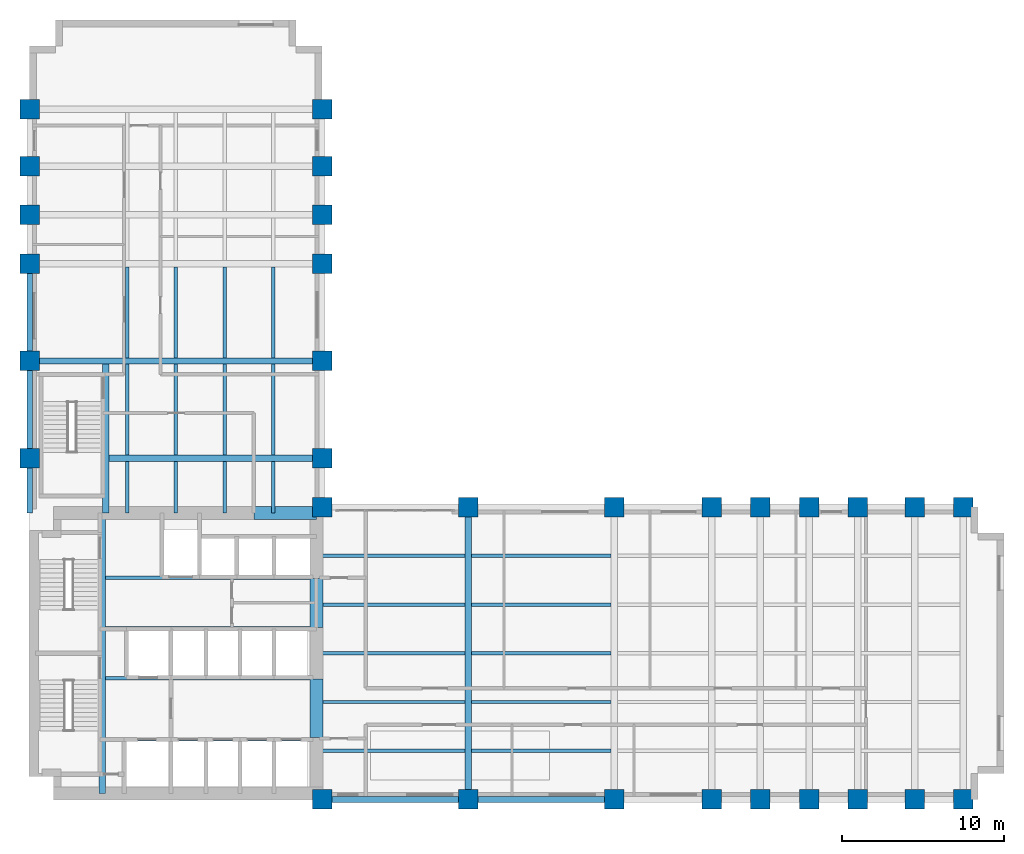
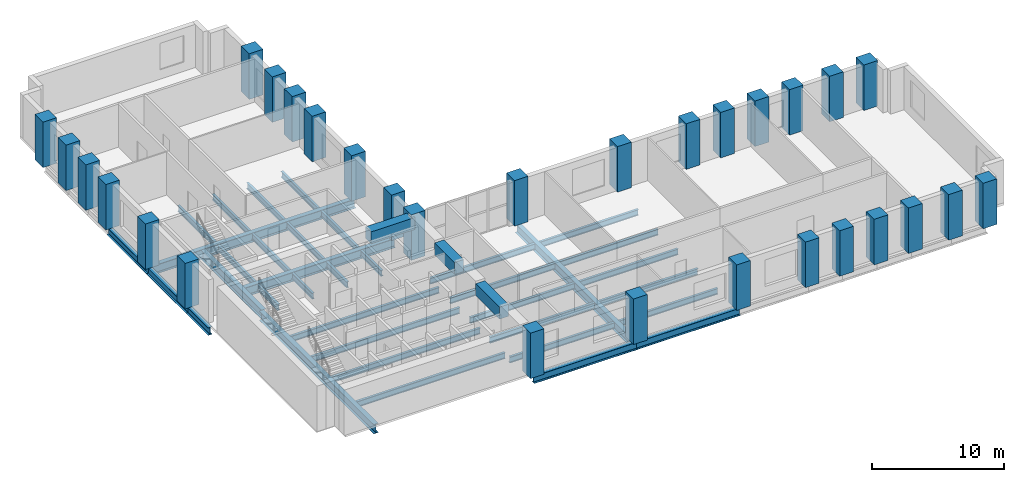
# One storey, part 1 of 8: 39 beams, 30 columns.
"""IFC4 building model written with IfcOpenShell, lengths in metres."""

from ifc_helpers import new_model, si_unit, direction, frame, origin, origin_2d, place, context, subcontext, project, spatial, rectangle, i_section, extrude, material, material_profile, profile_set, type_object, element, save


model = new_model("IFC4")

# Units and contexts
model_context = context("Model", 3, precision=1e-05, world=origin(), true_north=direction((0.0, 1.0)))
body_context = subcontext(model_context, "Body", "Model", "MODEL_VIEW")
ifc_project = project(units=[si_unit("LENGTHUNIT", "METRE"), si_unit("AREAUNIT", "SQUARE_METRE"), si_unit("VOLUMEUNIT", "CUBIC_METRE"), si_unit("PLANEANGLEUNIT", "RADIAN"), si_unit("MASSUNIT", "GRAM", prefix="KILO")], contexts=[model_context])

# Site, building, storey
site_placement = place(None, origin())
site = spatial("IfcSite", under=ifc_project, at=site_placement, CompositionType="ELEMENT")
building_placement = place(site_placement, origin())
building = spatial("IfcBuilding", under=site, at=building_placement, Name="Mawjdan Bourse Tower", CompositionType="ELEMENT")
storey_placement = place(building_placement, frame((0.0, 0.0, 76.199951171875)))
storey = spatial("IfcBuildingStorey", under=building, at=storey_placement, Name="L17", CompositionType="ELEMENT", Elevation=76.199951171875)

# Columns
ifc_material_1 = material(Name="Concrete C80/95", Category="concrete")
ifc_material_profile_1 = material_profile(ifc_material_1, rectangle(XDim=1.199951171875, YDim=1.199951171875, at=origin_2d()), Name="RC1200X1200")
ifc_profile_set_1 = profile_set([ifc_material_profile_1], Name="Concrete C80/95")
column_type = type_object("IfcColumnType", Name="COL-RC1200X1200", PredefinedType="COLUMN", material=ifc_profile_set_1)
for number, where, z_axis, x_axis, name in (
    (1, (24.0, 3.0, 0.0), (0.0, 0.0, 1.0), (1.0, 0.0, 0.0), "L17 Structural Column C-X240-Y30"),
    (2, (24.0, 21.0, 0.0), (0.0, 0.0, 1.0), (1.0, 0.0, 0.0), "L17 Structural Column C-X240-Y210"),
    (3, (33.0, 3.0, 0.0), (0.0, 0.0, 1.0), (1.0, 0.0, 0.0), "L17 Structural Column C-X330-Y30"),
    (4, (33.0, 21.0, 0.0), (0.0, 0.0, 1.0), (1.0, 0.0, 0.0), "L17 Structural Column C-X330-Y210"),
    (5, (42.0, 3.0, 0.0), (0.0, 0.0, 1.0), (1.0, 0.0, 0.0), "L17 Structural Column C-X420-Y30"),
    (6, (42.0, 21.0, 0.0), (0.0, 0.0, 1.0), (1.0, 0.0, 0.0), "L17 Structural Column C-X420-Y210"),
    (7, (48.0, 3.0, 0.0), (0.0, 0.0, 1.0), (1.0, 0.0, 0.0), "L17 Structural Column C-X480-Y30"),
    (8, (48.0, 21.0, 0.0), (0.0, 0.0, 1.0), (1.0, 0.0, 0.0), "L17 Structural Column C-X480-Y210"),
    (9, (51.0, 3.0, 0.0), (0.0, 0.0, 1.0), (1.0, 0.0, 0.0), "L17 Structural Column C-X510-Y30"),
    (10, (51.0, 21.0, 0.0), (0.0, 0.0, 1.0), (1.0, 0.0, 0.0), "L17 Structural Column C-X510-Y210"),
    (11, (54.0, 3.0, 0.0), (0.0, 0.0, 1.0), (1.0, 0.0, 0.0), "L17 Structural Column C-X540-Y30"),
    (12, (54.0, 21.0, 0.0), (0.0, 0.0, 1.0), (1.0, 0.0, 0.0), "L17 Structural Column C-X540-Y210"),
    (13, (57.0, 3.0, 0.0), (0.0, 0.0, 1.0), (1.0, 0.0, 0.0), "L17 Structural Column C-X570-Y30"),
    (14, (57.0, 21.0, 0.0), (0.0, 0.0, 1.0), (1.0, 0.0, 0.0), "L17 Structural Column C-X570-Y210"),
    (15, (60.5, 3.0, 0.0), (0.0, 0.0, 1.0), (1.0, 0.0, 0.0), "L17 Structural Column C-X605-Y30"),
    (16, (60.5, 21.0, 0.0), (0.0, 0.0, 1.0), (1.0, 0.0, 0.0), "L17 Structural Column C-X605-Y210"),
    (17, (63.5, 3.0, 0.0), (0.0, 0.0, 1.0), (1.0, 0.0, 0.0), "L17 Structural Column C-X635-Y30"),
    (18, (63.5, 21.0, 0.0), (0.0, 0.0, 1.0), (1.0, 0.0, 0.0), "L17 Structural Column C-X635-Y210"),
    (19, (6.0, 24.0, 0.0), (0.0, 0.0, 1.0), (1.0, 0.0, 0.0), "L17 Structural Column C-X60-Y240"),
    (20, (24.0, 24.0, 0.0), (0.0, 0.0, 1.0), (1.0, 0.0, 0.0), "L17 Structural Column C-X240-Y240"),
    (21, (6.0, 30.0, 0.0), (0.0, 0.0, 1.0), (1.0, 0.0, 0.0), "L17 Structural Column C-X60-Y300"),
    (22, (24.0, 30.0, 0.0), (0.0, 0.0, 1.0), (1.0, 0.0, 0.0), "L17 Structural Column C-X240-Y300"),
    (23, (6.0, 36.0, 0.0), (0.0, 0.0, 1.0), (1.0, 0.0, 0.0), "L17 Structural Column C-X60-Y360"),
    (24, (24.0, 36.0, 0.0), (0.0, 0.0, 1.0), (1.0, 0.0, 0.0), "L17 Structural Column C-X240-Y360"),
    (25, (6.0, 39.0, 0.0), (0.0, 0.0, 1.0), (1.0, 0.0, 0.0), "L17 Structural Column C-X60-Y390"),
    (26, (24.0, 39.0, 0.0), (0.0, 0.0, 1.0), (1.0, 0.0, 0.0), "L17 Structural Column C-X240-Y390"),
    (27, (6.0, 42.0, 0.0), (0.0, 0.0, 1.0), (1.0, 0.0, 0.0), "L17 Structural Column C-X60-Y420"),
    (28, (24.0, 42.0, 0.0), (0.0, 0.0, 1.0), (1.0, 0.0, 0.0), "L17 Structural Column C-X240-Y420"),
    (29, (6.0, 45.5, 0.0), (0.0, 0.0, 1.0), (1.0, 0.0, 0.0), "L17 Structural Column C-X60-Y455"),
    (30, (24.0, 45.5, 0.0), (0.0, 0.0, 1.0), (1.0, 0.0, 0.0), "L17 Structural Column C-X240-Y455"),
):
    element("IfcColumn", number, at=place(storey_placement, frame(where, z_axis=z_axis, x_axis=x_axis)), inside=storey, type_object=column_type, Name=name, PredefinedType="COLUMN", context=body_context, shape_type="SweptSolid", body=[
        extrude(rectangle(XDim=1.199951171875, YDim=1.199951171875, at=origin_2d()), origin(), (0.0, 0.0, 1.0), 4.199951171875),
    ])

# Beams
ifc_material_2 = material(Name="Structural Steel S355", Category="steel")
ifc_material_profile_2 = material_profile(ifc_material_2, i_section(OverallWidth=0.39892578125, OverallDepth=0.85595703125, WebThickness=0.018310546875, FlangeThickness=0.029296875, FilletRadius=0.0234375, at=origin_2d()), Name="W33X201")
ifc_profile_set_2 = profile_set([ifc_material_profile_2], Name="Structural Steel S355")
beam_type_1 = type_object("IfcBeamType", Name="GRD-W33X201", PredefinedType="BEAM", material=ifc_profile_set_2)
beam_1_placement = place(storey_placement, frame((10.47998046875, 3.35009765625, -0.64794921875), z_axis=(0.0, 1.0, 0.0), x_axis=(-1.0, 0.0, 0.0)))
element("IfcBeam", 31, at=beam_1_placement, inside=storey, type_object=beam_type_1, Name="L17 Core Stair Trimmer Girder 001", PredefinedType="BEAM", context=body_context, shape_type="SweptSolid", body=[
    extrude(i_section(OverallWidth=0.39892578125, OverallDepth=0.85595703125, WebThickness=0.018310546875, FlangeThickness=0.029296875, FilletRadius=0.0234375, at=origin_2d()), origin(), (0.0, 0.0, 1.0), 17.2998046875),
])
beam_2_placement = place(storey_placement, frame((33.0, 3.0, -0.64794921875), z_axis=(0.0, 1.0, 0.0), x_axis=(-1.0, 0.0, 0.0)))
element("IfcBeam", 32, at=beam_2_placement, inside=storey, type_object=beam_type_1, Name="L17 East Wing Clear-Span Girder 002", PredefinedType="BEAM", context=body_context, shape_type="SweptSolid", body=[
    extrude(i_section(OverallWidth=0.39892578125, OverallDepth=0.85595703125, WebThickness=0.018310546875, FlangeThickness=0.029296875, FilletRadius=0.0234375, at=origin_2d()), origin(), (0.0, 0.0, 1.0), 18.0),
])
beam_3_placement = place(storey_placement, frame((10.679931640625, 20.64990234375, -0.64794921875), z_axis=(0.0, 1.0, 0.0), x_axis=(-1.0, 0.0, 0.0)))
element("IfcBeam", 33, at=beam_3_placement, inside=storey, type_object=beam_type_1, Name="L17 North Wing Stair Trimmer Girder 070", PredefinedType="BEAM", context=body_context, shape_type="SweptSolid", body=[
    extrude(i_section(OverallWidth=0.39892578125, OverallDepth=0.85595703125, WebThickness=0.018310546875, FlangeThickness=0.029296875, FilletRadius=0.0234375, at=origin_2d()), origin(), (0.0, 0.0, 1.0), 9.152587890625),
])
beam_4_placement = place(storey_placement, frame((10.87744140625, 24.0, -0.64794921875), z_axis=(1.0, 0.0, 0.0), x_axis=(0.0, 1.0, 0.0)))
element("IfcBeam", 34, at=beam_4_placement, inside=storey, type_object=beam_type_1, Name="L17 North Wing Clear-Span Girder 071", PredefinedType="BEAM", context=body_context, shape_type="SweptSolid", body=[
    extrude(i_section(OverallWidth=0.39892578125, OverallDepth=0.85595703125, WebThickness=0.018310546875, FlangeThickness=0.029296875, FilletRadius=0.0234375, at=origin_2d()), origin(), (0.0, 0.0, 1.0), 13.12255859375),
])
beam_5_placement = place(storey_placement, frame((6.0, 30.0, -0.64794921875), z_axis=(1.0, 0.0, 0.0), x_axis=(0.0, 1.0, 0.0)))
element("IfcBeam", 35, at=beam_5_placement, inside=storey, type_object=beam_type_1, Name="L17 North Wing Clear-Span Girder 072", PredefinedType="BEAM", context=body_context, shape_type="SweptSolid", body=[
    extrude(i_section(OverallWidth=0.39892578125, OverallDepth=0.85595703125, WebThickness=0.018310546875, FlangeThickness=0.029296875, FilletRadius=0.0234375, at=origin_2d()), origin(), (0.0, 0.0, 1.0), 18.0),
])
ifc_material_profile_3 = material_profile(ifc_material_2, i_section(OverallWidth=0.2119140625, OverallDepth=0.5439453125, WebThickness=0.01318359375, FlangeThickness=0.021240234375, FilletRadius=0.01708984375, at=origin_2d()), Name="W21X83")
ifc_profile_set_3 = profile_set([ifc_material_profile_3], Name="Structural Steel S355")
beam_type_2 = type_object("IfcBeamType", Name="JST-W21X83", PredefinedType="JOIST", material=ifc_profile_set_3)
beam_6_placement = place(storey_placement, frame((23.64990234375, 6.0, -0.491943359375), z_axis=(1.0, 0.0, 0.0), x_axis=(0.0, 1.0, 0.0)))
element("IfcBeam", 36, at=beam_6_placement, inside=storey, type_object=beam_type_2, Name="L17 East Wing Composite Joist 026", PredefinedType="JOIST", context=body_context, shape_type="SweptSolid", body=[
    extrude(i_section(OverallWidth=0.2119140625, OverallDepth=0.5439453125, WebThickness=0.01318359375, FlangeThickness=0.021240234375, FilletRadius=0.01708984375, at=origin_2d()), origin(), (0.0, 0.0, 1.0), 9.152587890625),
])
beam_7_placement = place(storey_placement, frame((33.197509765625, 6.0, -0.491943359375), z_axis=(1.0, 0.0, 0.0), x_axis=(0.0, 1.0, 0.0)))
element("IfcBeam", 37, at=beam_7_placement, inside=storey, type_object=beam_type_2, Name="L17 East Wing Composite Joist 027", PredefinedType="JOIST", context=body_context, shape_type="SweptSolid", body=[
    extrude(i_section(OverallWidth=0.2119140625, OverallDepth=0.5439453125, WebThickness=0.01318359375, FlangeThickness=0.021240234375, FilletRadius=0.01708984375, at=origin_2d()), origin(), (0.0, 0.0, 1.0), 8.60498046875),
])
beam_8_placement = place(storey_placement, frame((23.64990234375, 9.0, -0.491943359375), z_axis=(1.0, 0.0, 0.0), x_axis=(0.0, 1.0, 0.0)))
element("IfcBeam", 38, at=beam_8_placement, inside=storey, type_object=beam_type_2, Name="L17 East Wing Composite Joist 034", PredefinedType="JOIST", context=body_context, shape_type="SweptSolid", body=[
    extrude(i_section(OverallWidth=0.2119140625, OverallDepth=0.5439453125, WebThickness=0.01318359375, FlangeThickness=0.021240234375, FilletRadius=0.01708984375, at=origin_2d()), origin(), (0.0, 0.0, 1.0), 9.152587890625),
])
beam_9_placement = place(storey_placement, frame((33.197509765625, 9.0, -0.491943359375), z_axis=(1.0, 0.0, 0.0), x_axis=(0.0, 1.0, 0.0)))
element("IfcBeam", 39, at=beam_9_placement, inside=storey, type_object=beam_type_2, Name="L17 East Wing Composite Joist 035", PredefinedType="JOIST", context=body_context, shape_type="SweptSolid", body=[
    extrude(i_section(OverallWidth=0.2119140625, OverallDepth=0.5439453125, WebThickness=0.01318359375, FlangeThickness=0.021240234375, FilletRadius=0.01708984375, at=origin_2d()), origin(), (0.0, 0.0, 1.0), 8.60498046875),
])
beam_10_placement = place(storey_placement, frame((23.64990234375, 12.0, -0.491943359375), z_axis=(1.0, 0.0, 0.0), x_axis=(0.0, 1.0, 0.0)))
element("IfcBeam", 40, at=beam_10_placement, inside=storey, type_object=beam_type_2, Name="L17 East Wing Composite Joist 042", PredefinedType="JOIST", context=body_context, shape_type="SweptSolid", body=[
    extrude(i_section(OverallWidth=0.2119140625, OverallDepth=0.5439453125, WebThickness=0.01318359375, FlangeThickness=0.021240234375, FilletRadius=0.01708984375, at=origin_2d()), origin(), (0.0, 0.0, 1.0), 9.152587890625),
])
beam_11_placement = place(storey_placement, frame((33.197509765625, 12.0, -0.491943359375), z_axis=(1.0, 0.0, 0.0), x_axis=(0.0, 1.0, 0.0)))
element("IfcBeam", 41, at=beam_11_placement, inside=storey, type_object=beam_type_2, Name="L17 East Wing Composite Joist 043", PredefinedType="JOIST", context=body_context, shape_type="SweptSolid", body=[
    extrude(i_section(OverallWidth=0.2119140625, OverallDepth=0.5439453125, WebThickness=0.01318359375, FlangeThickness=0.021240234375, FilletRadius=0.01708984375, at=origin_2d()), origin(), (0.0, 0.0, 1.0), 8.60498046875),
])
beam_12_placement = place(storey_placement, frame((23.64990234375, 15.0, -0.491943359375), z_axis=(1.0, 0.0, 0.0), x_axis=(0.0, 1.0, 0.0)))
element("IfcBeam", 42, at=beam_12_placement, inside=storey, type_object=beam_type_2, Name="L17 East Wing Composite Joist 050", PredefinedType="JOIST", context=body_context, shape_type="SweptSolid", body=[
    extrude(i_section(OverallWidth=0.2119140625, OverallDepth=0.5439453125, WebThickness=0.01318359375, FlangeThickness=0.021240234375, FilletRadius=0.01708984375, at=origin_2d()), origin(), (0.0, 0.0, 1.0), 9.152587890625),
])
beam_13_placement = place(storey_placement, frame((33.197509765625, 15.0, -0.491943359375), z_axis=(1.0, 0.0, 0.0), x_axis=(0.0, 1.0, 0.0)))
element("IfcBeam", 43, at=beam_13_placement, inside=storey, type_object=beam_type_2, Name="L17 East Wing Composite Joist 051", PredefinedType="JOIST", context=body_context, shape_type="SweptSolid", body=[
    extrude(i_section(OverallWidth=0.2119140625, OverallDepth=0.5439453125, WebThickness=0.01318359375, FlangeThickness=0.021240234375, FilletRadius=0.01708984375, at=origin_2d()), origin(), (0.0, 0.0, 1.0), 8.60498046875),
])
beam_14_placement = place(storey_placement, frame((23.64990234375, 18.0, -0.491943359375), z_axis=(1.0, 0.0, 0.0), x_axis=(0.0, 1.0, 0.0)))
element("IfcBeam", 44, at=beam_14_placement, inside=storey, type_object=beam_type_2, Name="L17 East Wing Composite Joist 058", PredefinedType="JOIST", context=body_context, shape_type="SweptSolid", body=[
    extrude(i_section(OverallWidth=0.2119140625, OverallDepth=0.5439453125, WebThickness=0.01318359375, FlangeThickness=0.021240234375, FilletRadius=0.01708984375, at=origin_2d()), origin(), (0.0, 0.0, 1.0), 9.152587890625),
])
beam_15_placement = place(storey_placement, frame((33.197509765625, 18.0, -0.491943359375), z_axis=(1.0, 0.0, 0.0), x_axis=(0.0, 1.0, 0.0)))
element("IfcBeam", 45, at=beam_15_placement, inside=storey, type_object=beam_type_2, Name="L17 East Wing Composite Joist 059", PredefinedType="JOIST", context=body_context, shape_type="SweptSolid", body=[
    extrude(i_section(OverallWidth=0.2119140625, OverallDepth=0.5439453125, WebThickness=0.01318359375, FlangeThickness=0.021240234375, FilletRadius=0.01708984375, at=origin_2d()), origin(), (0.0, 0.0, 1.0), 8.60498046875),
])
for number, where, z_axis, x_axis, name in (
    (46, (10.677490234375, 6.699951171875, -0.491943359375), (1.0, 0.0, 0.0), (0.0, 1.0, 0.0), "L17 Core Floor Joist 066"),
    (47, (10.677490234375, 10.449951171875, -0.491943359375), (1.0, 0.0, 0.0), (0.0, 1.0, 0.0), "L17 Core Floor Joist 067"),
    (48, (10.677490234375, 13.550048828125, -0.491943359375), (1.0, 0.0, 0.0), (0.0, 1.0, 0.0), "L17 Core Floor Joist 068"),
    (49, (10.677490234375, 16.64990234375, -0.491943359375), (1.0, 0.0, 0.0), (0.0, 1.0, 0.0), "L17 Core Floor Joist 069"),
):
    element("IfcBeam", number, at=place(storey_placement, frame(where, z_axis=z_axis, x_axis=x_axis)), inside=storey, type_object=beam_type_2, Name=name, PredefinedType="JOIST", context=body_context, shape_type="SweptSolid", body=[
        extrude(i_section(OverallWidth=0.2119140625, OverallDepth=0.5439453125, WebThickness=0.01318359375, FlangeThickness=0.021240234375, FilletRadius=0.01708984375, at=origin_2d()), origin(), (0.0, 0.0, 1.0), 12.972412109375),
    ])
beam_16_placement = place(storey_placement, frame((12.0, 20.64990234375, -0.491943359375), z_axis=(0.0, 1.0, 0.0), x_axis=(-1.0, 0.0, 0.0)))
element("IfcBeam", 50, at=beam_16_placement, inside=storey, type_object=beam_type_2, Name="L17 North Wing Composite Joist 089", PredefinedType="JOIST", context=body_context, shape_type="SweptSolid", body=[
    extrude(i_section(OverallWidth=0.2119140625, OverallDepth=0.5439453125, WebThickness=0.01318359375, FlangeThickness=0.021240234375, FilletRadius=0.01708984375, at=origin_2d()), origin(), (0.0, 0.0, 1.0), 3.152587890625),
])
for number, where, z_axis, x_axis, name in (
    (51, (12.0, 24.197509765625, -0.491943359375), (0.0, 1.0, 0.0), (-1.0, 0.0, 0.0), "L17 North Wing Composite Joist 090"),
    (52, (12.0, 30.197509765625, -0.491943359375), (0.0, 1.0, 0.0), (-1.0, 0.0, 0.0), "L17 North Wing Composite Joist 091"),
):
    element("IfcBeam", number, at=place(storey_placement, frame(where, z_axis=z_axis, x_axis=x_axis)), inside=storey, type_object=beam_type_2, Name=name, PredefinedType="JOIST", context=body_context, shape_type="SweptSolid", body=[
        extrude(i_section(OverallWidth=0.2119140625, OverallDepth=0.5439453125, WebThickness=0.01318359375, FlangeThickness=0.021240234375, FilletRadius=0.01708984375, at=origin_2d()), origin(), (0.0, 0.0, 1.0), 5.60498046875),
    ])
beam_17_placement = place(storey_placement, frame((15.0, 20.64990234375, -0.491943359375), z_axis=(0.0, 1.0, 0.0), x_axis=(-1.0, 0.0, 0.0)))
element("IfcBeam", 53, at=beam_17_placement, inside=storey, type_object=beam_type_2, Name="L17 North Wing Composite Joist 095", PredefinedType="JOIST", context=body_context, shape_type="SweptSolid", body=[
    extrude(i_section(OverallWidth=0.2119140625, OverallDepth=0.5439453125, WebThickness=0.01318359375, FlangeThickness=0.021240234375, FilletRadius=0.01708984375, at=origin_2d()), origin(), (0.0, 0.0, 1.0), 3.152587890625),
])
for number, where, z_axis, x_axis, name in (
    (54, (15.0, 24.197509765625, -0.491943359375), (0.0, 1.0, 0.0), (-1.0, 0.0, 0.0), "L17 North Wing Composite Joist 096"),
    (55, (15.0, 30.197509765625, -0.491943359375), (0.0, 1.0, 0.0), (-1.0, 0.0, 0.0), "L17 North Wing Composite Joist 097"),
):
    element("IfcBeam", number, at=place(storey_placement, frame(where, z_axis=z_axis, x_axis=x_axis)), inside=storey, type_object=beam_type_2, Name=name, PredefinedType="JOIST", context=body_context, shape_type="SweptSolid", body=[
        extrude(i_section(OverallWidth=0.2119140625, OverallDepth=0.5439453125, WebThickness=0.01318359375, FlangeThickness=0.021240234375, FilletRadius=0.01708984375, at=origin_2d()), origin(), (0.0, 0.0, 1.0), 5.60498046875),
    ])
beam_18_placement = place(storey_placement, frame((18.0, 20.64990234375, -0.491943359375), z_axis=(0.0, 1.0, 0.0), x_axis=(-1.0, 0.0, 0.0)))
element("IfcBeam", 56, at=beam_18_placement, inside=storey, type_object=beam_type_2, Name="L17 North Wing Composite Joist 101", PredefinedType="JOIST", context=body_context, shape_type="SweptSolid", body=[
    extrude(i_section(OverallWidth=0.2119140625, OverallDepth=0.5439453125, WebThickness=0.01318359375, FlangeThickness=0.021240234375, FilletRadius=0.01708984375, at=origin_2d()), origin(), (0.0, 0.0, 1.0), 3.152587890625),
])
for number, where, z_axis, x_axis, name in (
    (57, (18.0, 24.197509765625, -0.491943359375), (0.0, 1.0, 0.0), (-1.0, 0.0, 0.0), "L17 North Wing Composite Joist 102"),
    (58, (18.0, 30.197509765625, -0.491943359375), (0.0, 1.0, 0.0), (-1.0, 0.0, 0.0), "L17 North Wing Composite Joist 103"),
):
    element("IfcBeam", number, at=place(storey_placement, frame(where, z_axis=z_axis, x_axis=x_axis)), inside=storey, type_object=beam_type_2, Name=name, PredefinedType="JOIST", context=body_context, shape_type="SweptSolid", body=[
        extrude(i_section(OverallWidth=0.2119140625, OverallDepth=0.5439453125, WebThickness=0.01318359375, FlangeThickness=0.021240234375, FilletRadius=0.01708984375, at=origin_2d()), origin(), (0.0, 0.0, 1.0), 5.60498046875),
    ])
beam_19_placement = place(storey_placement, frame((21.0, 20.64990234375, -0.491943359375), z_axis=(0.0, 1.0, 0.0), x_axis=(-1.0, 0.0, 0.0)))
element("IfcBeam", 59, at=beam_19_placement, inside=storey, type_object=beam_type_2, Name="L17 North Wing Composite Joist 107", PredefinedType="JOIST", context=body_context, shape_type="SweptSolid", body=[
    extrude(i_section(OverallWidth=0.2119140625, OverallDepth=0.5439453125, WebThickness=0.01318359375, FlangeThickness=0.021240234375, FilletRadius=0.01708984375, at=origin_2d()), origin(), (0.0, 0.0, 1.0), 3.152587890625),
])
for number, where, z_axis, x_axis, name in (
    (60, (21.0, 24.197509765625, -0.491943359375), (0.0, 1.0, 0.0), (-1.0, 0.0, 0.0), "L17 North Wing Composite Joist 108"),
    (61, (21.0, 30.197509765625, -0.491943359375), (0.0, 1.0, 0.0), (-1.0, 0.0, 0.0), "L17 North Wing Composite Joist 109"),
):
    element("IfcBeam", number, at=place(storey_placement, frame(where, z_axis=z_axis, x_axis=x_axis)), inside=storey, type_object=beam_type_2, Name=name, PredefinedType="JOIST", context=body_context, shape_type="SweptSolid", body=[
        extrude(i_section(OverallWidth=0.2119140625, OverallDepth=0.5439453125, WebThickness=0.01318359375, FlangeThickness=0.021240234375, FilletRadius=0.01708984375, at=origin_2d()), origin(), (0.0, 0.0, 1.0), 5.60498046875),
    ])
ifc_material_3 = material(Name="Concrete C70/85", Category="concrete")
ifc_material_profile_4 = material_profile(ifc_material_3, rectangle(XDim=0.800048828125, YDim=1.10009765625, at=origin_2d()), Name="RCB800X1100")
ifc_profile_set_4 = profile_set([ifc_material_profile_4], Name="Concrete C70/85")
beam_type_3 = type_object("IfcBeamType", Name="LNT-RCB800X1100", PredefinedType="LINTEL", material=ifc_profile_set_4)
beam_20_placement = place(storey_placement, frame((23.64990234375, 6.800048828125, 3.429931640625), z_axis=(0.0, 1.0, 0.0), x_axis=(-1.0, 0.0, 0.0)))
element("IfcBeam", 62, at=beam_20_placement, inside=storey, type_object=beam_type_3, Name="L17 Coupled Core Lintel CB-E1", PredefinedType="LINTEL", context=body_context, shape_type="SweptSolid", body=[
    extrude(rectangle(XDim=0.800048828125, YDim=1.10009765625, at=origin_2d()), origin(), (0.0, 0.0, 1.0), 3.599853515625),
])
beam_21_placement = place(storey_placement, frame((23.64990234375, 13.60009765625, 3.429931640625), z_axis=(0.0, 1.0, 0.0), x_axis=(-1.0, 0.0, 0.0)))
element("IfcBeam", 63, at=beam_21_placement, inside=storey, type_object=beam_type_3, Name="L17 Coupled Core Lintel CB-E2", PredefinedType="LINTEL", context=body_context, shape_type="SweptSolid", body=[
    extrude(rectangle(XDim=0.800048828125, YDim=1.10009765625, at=origin_2d()), origin(), (0.0, 0.0, 1.0), 3.0),
])
beam_22_placement = place(storey_placement, frame((19.800048828125, 20.64990234375, 3.429931640625), z_axis=(1.0, 0.0, 0.0), x_axis=(0.0, 1.0, 0.0)))
element("IfcBeam", 64, at=beam_22_placement, inside=storey, type_object=beam_type_3, Name="L17 Coupled Core Lintel CB-N1", PredefinedType="LINTEL", context=body_context, shape_type="SweptSolid", body=[
    extrude(rectangle(XDim=0.800048828125, YDim=1.10009765625, at=origin_2d()), origin(), (0.0, 0.0, 1.0), 3.849853515625),
])
ifc_material_profile_5 = material_profile(ifc_material_2, i_section(OverallWidth=0.35498046875, OverallDepth=0.696044921875, WebThickness=0.015380859375, FlangeThickness=0.02490234375, FilletRadius=0.019775390625, at=origin_2d()), Name="W27X146")
ifc_profile_set_5 = profile_set([ifc_material_profile_5], Name="Structural Steel S355")
beam_type_4 = type_object("IfcBeamType", Name="SPN-W27X146", PredefinedType="SPANDREL", material=ifc_profile_set_5)
for number, where, z_axis, x_axis, name in (
    (65, (24.0, 3.0, -0.56787109375), (1.0, 0.0, 0.0), (0.0, 1.0, 0.0), "L17 Perimeter Masonry-Shelf Spandrel 010"),
    (66, (33.0, 3.0, -0.56787109375), (1.0, 0.0, 0.0), (0.0, 1.0, 0.0), "L17 Perimeter Masonry-Shelf Spandrel 011"),
):
    element("IfcBeam", number, at=place(storey_placement, frame(where, z_axis=z_axis, x_axis=x_axis)), inside=storey, type_object=beam_type_4, Name=name, PredefinedType="SPANDREL", context=body_context, shape_type="SweptSolid", body=[
        extrude(i_section(OverallWidth=0.35498046875, OverallDepth=0.696044921875, WebThickness=0.015380859375, FlangeThickness=0.02490234375, FilletRadius=0.019775390625, at=origin_2d()), origin(), (0.0, 0.0, 1.0), 9.0),
    ])
beam_23_placement = place(storey_placement, frame((6.0, 20.64990234375, -0.56787109375), z_axis=(0.0, 1.0, 0.0), x_axis=(-1.0, 0.0, 0.0)))
element("IfcBeam", 67, at=beam_23_placement, inside=storey, type_object=beam_type_4, Name="L17 North Wing Spandrel 077", PredefinedType="SPANDREL", context=body_context, shape_type="SweptSolid", body=[
    extrude(i_section(OverallWidth=0.35498046875, OverallDepth=0.696044921875, WebThickness=0.015380859375, FlangeThickness=0.02490234375, FilletRadius=0.019775390625, at=origin_2d()), origin(), (0.0, 0.0, 1.0), 3.35009765625),
])
for number, where, z_axis, x_axis, name in (
    (68, (6.0, 24.0, -0.56787109375), (0.0, 1.0, 0.0), (-1.0, 0.0, 0.0), "L17 North Wing Spandrel 078"),
    (69, (6.0, 30.0, -0.56787109375), (0.0, 1.0, 0.0), (-1.0, 0.0, 0.0), "L17 North Wing Spandrel 079"),
):
    element("IfcBeam", number, at=place(storey_placement, frame(where, z_axis=z_axis, x_axis=x_axis)), inside=storey, type_object=beam_type_4, Name=name, PredefinedType="SPANDREL", context=body_context, shape_type="SweptSolid", body=[
        extrude(i_section(OverallWidth=0.35498046875, OverallDepth=0.696044921875, WebThickness=0.015380859375, FlangeThickness=0.02490234375, FilletRadius=0.019775390625, at=origin_2d()), origin(), (0.0, 0.0, 1.0), 6.0),
    ])

save(model, "model.ifc")
